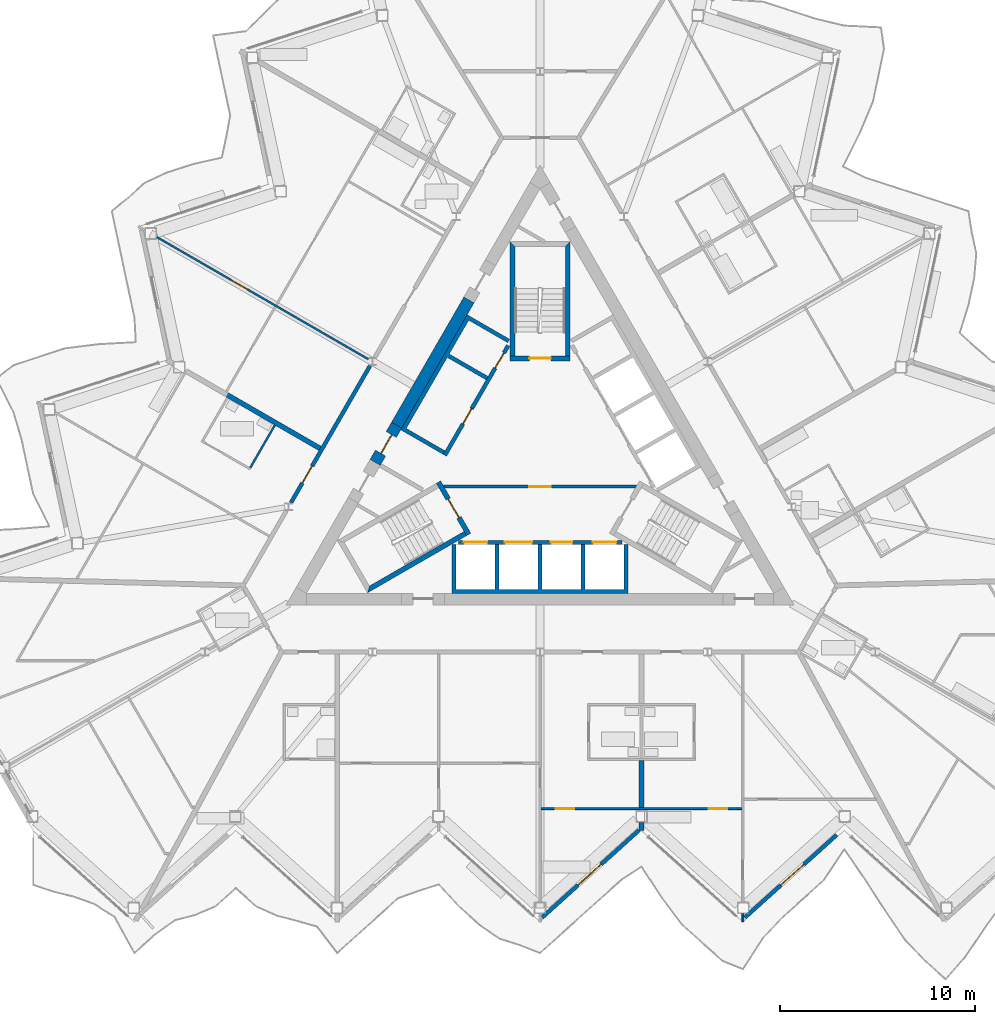
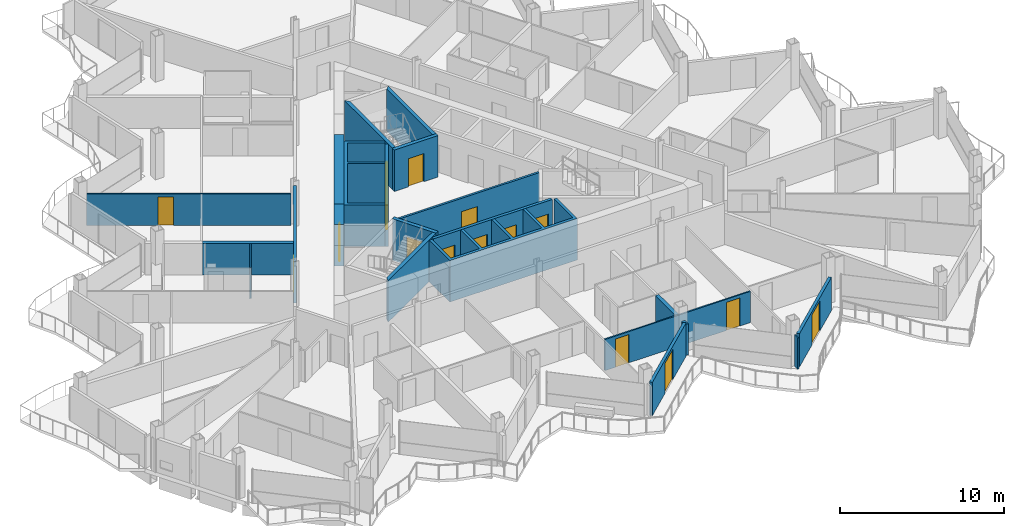
# One storey, part 15 of 28: 22 walls, 16 doors, 16 openings.
"""IFC4 building model written with IfcOpenShell, lengths in metres."""

from ifc_helpers import new_model, si_unit, direction, frame, frame_2d, origin, place, context, subcontext, project, spatial, polyline, rectangle, outline, extrude, material, layer, layer_set, type_object, element, fill, save


model = new_model("IFC4")

# Units and contexts
model_context = context("Model", 3, precision=1e-05, world=origin(), true_north=direction((0.0, 1.0)))
body_context = subcontext(model_context, "Body", "Model", "MODEL_VIEW")
ifc_project = project(units=[si_unit("LENGTHUNIT", "METRE"), si_unit("AREAUNIT", "SQUARE_METRE"), si_unit("VOLUMEUNIT", "CUBIC_METRE"), si_unit("PLANEANGLEUNIT", "RADIAN"), si_unit("MASSUNIT", "GRAM", prefix="KILO")], contexts=[model_context])

# Site, building, storey
site_placement = place(None, origin())
site = spatial("IfcSite", under=ifc_project, at=site_placement, CompositionType="ELEMENT")
building_placement = place(site_placement, origin())
building = spatial("IfcBuilding", under=site, at=building_placement, Name="Cormorant Prow Tower", CompositionType="ELEMENT")
storey_placement = place(building_placement, frame((0.0, 0.0, 301.800048828125)))
storey = spatial("IfcBuildingStorey", under=building, at=storey_placement, Name="L65", CompositionType="ELEMENT", Elevation=301.800048828125)

# Wall, opening, door
ifc_material_1 = material(Name="Gypsum board partition")
ifc_layer_1 = layer(ifc_material_1, 0.14990234375)
ifc_layer_set_1 = layer_set([ifc_layer_1], Name="Gypsum board partition")
wall_type_1 = type_object("IfcWallType", Name="Core partition 150", PredefinedType="PARTITIONING", material=ifc_layer_set_1)
wall_1_placement = place(storey_placement, frame((-4.941162109375, -1.449951171875, 0.0), z_axis=(0.0, 0.0, 1.0), x_axis=(1.0, 0.0, 0.0)))
wall_1 = element("IfcWall", 1, at=wall_1_placement, inside=storey, type_object=wall_type_1, Name="Firefighting lobby partition", PredefinedType="PARTITIONING", context=body_context, shape_type="SweptSolid", body=[
    extrude(rectangle(XDim=9.88232421875, YDim=0.14990234375, at=frame_2d((4.941162109375, 0.0))), origin(), (0.0, 0.0, 1.0), 3.099853515625),
])
opening_1_placement = place(wall_1_placement, frame((4.39111328125, 0.0, 0.0)))
opening_1 = element("IfcOpeningElement", 2, at=opening_1_placement, cuts=wall_1, Name="Opening L65-C11", PredefinedType="OPENING", context=body_context, shape_type="SweptSolid", body=[
    extrude(rectangle(XDim=1.10009765625, YDim=2.10009765625, at=frame_2d((0.550048828125, 1.050048828125))), frame((0.0, 0.0849609375, 0.0), z_axis=(0.0, -1.0, 0.0), x_axis=(1.0, 0.0, 0.0)), (0.0, 0.0, 1.0), 0.169921875),
])
ifc_material_2 = material(Name="Painted steel", Category="steel")
door_type_1 = type_object("IfcDoorType", Name="Firefighting lobby door 1100x2100", OperationType="NOTDEFINED", PredefinedType="DOOR", material=ifc_material_2)
door_1_placement = place(opening_1_placement, origin())
door_1 = element("IfcDoor", 3, at=door_1_placement, inside=storey, type_object=door_type_1, Name="Firefighting lobby door", OperationType="SINGLE_SWING_LEFT", OverallHeight=2.10009765625, OverallWidth=1.10009765625, PredefinedType="DOOR", context=body_context, shape_type="SweptSolid", body=[
    extrude(rectangle(XDim=1.10009765625, YDim=2.10009765625, at=frame_2d((0.550048828125, 1.050048828125))), frame((0.0, 0.02490234375, 0.0), z_axis=(0.0, -1.0, 0.0), x_axis=(1.0, 0.0, 0.0)), (0.0, 0.0, 1.0), 0.050048828125),
])
fill(opening_1, door_1)

# Wall
ifc_material_3 = material(Name="Concrete 8000 psi", Category="concrete")
ifc_layer_2 = layer(ifc_material_3, 0.60009765625)
ifc_layer_set_2 = layer_set([ifc_layer_2], Name="Concrete 8000 psi")
wall_type_2 = type_object("IfcWallType", Name="Core shear wall 600", PredefinedType="SHEAR", material=ifc_layer_set_2)
wall_2_placement = place(storey_placement, frame((-3.639404296875, 8.107421875, 0.0), z_axis=(0.0, 0.0, 1.0), x_axis=(-0.49999180351, -0.866030135978, 0.0)))
element("IfcWall", 4, at=wall_2_placement, inside=storey, type_object=wall_type_2, Name="Core wall", PredefinedType="SHEAR", context=body_context, shape_type="SweptSolid", body=[
    extrude(rectangle(XDim=7.4013671875, YDim=0.60009765625, at=frame_2d((3.70068359375, 0.0))), origin(), (0.0, 0.0, 1.0), 3.099853515625),
])

# Wall, opening, door
wall_3_placement = place(storey_placement, frame((-7.340087890625, 1.697509765625, 0.0), z_axis=(0.0, 0.0, 1.0), x_axis=(-0.50002983664, -0.866008176907, 0.0)))
wall_3 = element("IfcWall", 5, at=wall_3_placement, inside=storey, type_object=wall_type_2, Name="Core wall door panel", PredefinedType="SHEAR", context=body_context, shape_type="SweptSolid", body=[
    extrude(rectangle(XDim=2.199951171875, YDim=0.60009765625, at=frame_2d((1.10009765625, 0.0))), origin(), (0.0, 0.0, 1.0), 3.099853515625),
])
opening_2_placement = place(wall_3_placement, frame((0.550048828125, 0.0, 0.0)))
opening_2 = element("IfcOpeningElement", 6, at=opening_2_placement, cuts=wall_3, Name="Opening L65-C21", PredefinedType="OPENING", context=body_context, shape_type="SweptSolid", body=[
    extrude(rectangle(XDim=1.10009765625, YDim=2.10009765625, at=frame_2d((0.550048828125, 1.050048828125))), frame((0.0, 0.31005859375, 0.0), z_axis=(0.0, -1.0, 0.0), x_axis=(1.0, 0.0, 0.0)), (0.0, 0.0, 1.0), 0.6201171875),
])
ifc_material_4 = material(Name="Painted steel", Category="steel")
door_type_2 = type_object("IfcDoorType", Name="Core door 1100x2100", OperationType="NOTDEFINED", PredefinedType="DOOR", material=ifc_material_4)
door_2_placement = place(opening_2_placement, origin())
door_2 = element("IfcDoor", 7, at=door_2_placement, inside=storey, type_object=door_type_2, Name="Core door, lift lobby", OperationType="SINGLE_SWING_RIGHT", OverallHeight=2.10009765625, OverallWidth=1.10009765625, PredefinedType="DOOR", context=body_context, shape_type="SweptSolid", body=[
    extrude(rectangle(XDim=1.10009765625, YDim=2.10009765625, at=frame_2d((0.550048828125, 1.050048828125))), frame((0.0, 0.05517578125, 0.0), z_axis=(0.0, -1.0, 0.0), x_axis=(1.0, 0.0, 0.0)), (0.0, 0.0, 1.0), 0.050048828125),
])
fill(opening_2, door_2)

ifc_material_5 = material(Name="Gypsum board corridor wall")
ifc_layer_3 = layer(ifc_material_5, 0.199951171875)
ifc_layer_set_3 = layer_set([ifc_layer_3], Name="Gypsum board corridor wall")
wall_type_3 = type_object("IfcWallType", Name="Corridor wall 200", PredefinedType="PARTITIONING", material=ifc_layer_set_3)
wall_4_placement = place(storey_placement, frame((-12.747802734375, -2.268798828125, 0.0), z_axis=(0.0, 0.0, 1.0), x_axis=(0.499984266882, 0.866034487114, 0.0)))
wall_4 = element("IfcWall", 8, at=wall_4_placement, inside=storey, type_object=wall_type_3, Name="Corridor wall", PredefinedType="PARTITIONING", context=body_context, shape_type="SweptSolid", body=[
    extrude(rectangle(XDim=8.098876953125, YDim=0.199951171875, at=frame_2d((4.04931640625, 0.0))), origin(), (0.0, 0.0, 1.0), 3.099853515625),
])
opening_3_placement = place(wall_4_placement, frame((1.16357421875, 0.0, 0.0)))
opening_3 = element("IfcOpeningElement", 9, at=opening_3_placement, cuts=wall_4, Name="Opening L65-F46", PredefinedType="OPENING", context=body_context, shape_type="SweptSolid", body=[
    extrude(rectangle(XDim=1.0, YDim=2.10009765625, at=frame_2d((0.5, 1.050048828125))), frame((0.0, 0.10986328125, 0.0), z_axis=(0.0, -1.0, 0.0), x_axis=(1.0, 0.0, 0.0)), (0.0, 0.0, 1.0), 0.219970703125),
])
ifc_material_6 = material(Name="Timber door leaf", Category="wood")
door_type_3 = type_object("IfcDoorType", Name="Flat or room entrance door 1000x2100", OperationType="NOTDEFINED", PredefinedType="DOOR", material=ifc_material_6)
door_3_placement = place(opening_3_placement, origin())
door_3 = element("IfcDoor", 10, at=door_3_placement, inside=storey, type_object=door_type_3, Name="Living room door", OperationType="SINGLE_SWING_RIGHT", OverallHeight=2.10009765625, OverallWidth=1.0, PredefinedType="DOOR", context=body_context, shape_type="SweptSolid", body=[
    extrude(rectangle(XDim=1.0, YDim=2.10009765625, at=frame_2d((0.5, 1.050048828125))), frame((0.0, 0.02490234375, 0.0), z_axis=(0.0, -1.0, 0.0), x_axis=(1.0, 0.0, 0.0)), (0.0, 0.0, 1.0), 0.050048828125),
])
fill(opening_3, door_3)

ifc_material_7 = material(Name="Gypsum board partition")
ifc_layer_4 = layer(ifc_material_7, 0.10009765625)
ifc_layer_set_4 = layer_set([ifc_layer_4], Name="Gypsum board partition")
wall_type_4 = type_object("IfcWallType", Name="Internal partition 100", PredefinedType="PARTITIONING", material=ifc_layer_set_4)
wall_5_placement = place(storey_placement, frame((-19.615478515625, 11.3251953125, 0.0), z_axis=(0.0, 0.0, 1.0), x_axis=(0.86602139559, -0.500006942333, 0.0)))
wall_5 = element("IfcWall", 11, at=wall_5_placement, inside=storey, type_object=wall_type_4, Name="Internal partition", PredefinedType="PARTITIONING", context=body_context, shape_type="SweptSolid", body=[
    extrude(rectangle(XDim=12.504638671875, YDim=0.10009765625, at=frame_2d((6.25244140625, 0.0))), origin(), (0.0, 0.0, 1.0), 2.330078125),
])
opening_4_placement = place(wall_5_placement, frame((4.370361328125, 0.0, 0.0)))
opening_4 = element("IfcOpeningElement", 12, at=opening_4_placement, cuts=wall_5, Name="Opening L65-F43", PredefinedType="OPENING", context=body_context, shape_type="SweptSolid", body=[
    extrude(rectangle(XDim=0.949951171875, YDim=2.10009765625, at=frame_2d((0.47509765625, 1.050048828125))), frame((0.0, 0.06005859375, 0.0), z_axis=(0.0, -1.0, 0.0), x_axis=(1.0, 0.0, 0.0)), (0.0, 0.0, 1.0), 0.1201171875),
])
ifc_material_8 = material(Name="Timber door leaf", Category="wood")
door_type_4 = type_object("IfcDoorType", Name="Bathroom door 950x2100", OperationType="NOTDEFINED", PredefinedType="DOOR", material=ifc_material_8)
door_4_placement = place(opening_4_placement, origin())
door_4 = element("IfcDoor", 13, at=door_4_placement, inside=storey, type_object=door_type_4, Name="Dining room door", OperationType="SINGLE_SWING_LEFT", OverallHeight=2.10009765625, OverallWidth=0.949951171875, PredefinedType="DOOR", context=body_context, shape_type="SweptSolid", body=[
    extrude(rectangle(XDim=0.949951171875, YDim=2.10009765625, at=frame_2d((0.47509765625, 1.050048828125))), frame((0.0, 0.02490234375, 0.0), z_axis=(0.0, -1.0, 0.0), x_axis=(1.0, 0.0, 0.0)), (0.0, 0.0, 1.0), 0.050048828125),
])
fill(opening_4, door_4)

# Wall, openings, doors
wall_6_placement = place(storey_placement, frame((0.050048828125, -17.92431640625, 0.0), z_axis=(0.0, 0.0, 1.0), x_axis=(1.0, 0.0, 0.0)))
wall_6 = element("IfcWall", 14, at=wall_6_placement, inside=storey, type_object=wall_type_4, Name="Internal partition", PredefinedType="PARTITIONING", context=body_context, shape_type="SweptSolid", body=[
    extrude(rectangle(XDim=10.28173828125, YDim=0.10009765625, at=frame_2d((5.140869140625, 0.0))), origin(), (0.0, 0.0, 1.0), 2.330078125),
])
opening_5_placement = place(wall_6_placement, frame((0.751708984375, 0.0, 0.0)))
opening_5 = element("IfcOpeningElement", 15, at=opening_5_placement, cuts=wall_6, Name="Opening L65-F05", PredefinedType="OPENING", context=body_context, shape_type="SweptSolid", body=[
    extrude(rectangle(XDim=0.949951171875, YDim=2.10009765625, at=frame_2d((0.47509765625, 1.050048828125))), frame((0.0, 0.06005859375, 0.0), z_axis=(0.0, -1.0, 0.0), x_axis=(1.0, 0.0, 0.0)), (0.0, 0.0, 1.0), 0.1201171875),
])
opening_6_placement = place(wall_6_placement, frame((8.580078125, 0.0, 0.0)))
opening_6 = element("IfcOpeningElement", 16, at=opening_6_placement, cuts=wall_6, Name="Opening L65-F12", PredefinedType="OPENING", context=body_context, shape_type="SweptSolid", body=[
    extrude(rectangle(XDim=0.949951171875, YDim=2.10009765625, at=frame_2d((0.47509765625, 1.050048828125))), frame((0.0, 0.06005859375, 0.0), z_axis=(0.0, -1.0, 0.0), x_axis=(1.0, 0.0, 0.0)), (0.0, 0.0, 1.0), 0.1201171875),
])
door_5_placement = place(opening_5_placement, origin())
door_5 = element("IfcDoor", 17, at=door_5_placement, inside=storey, type_object=door_type_4, Name="Living room door", OperationType="SINGLE_SWING_LEFT", OverallHeight=2.10009765625, OverallWidth=0.949951171875, PredefinedType="DOOR", context=body_context, shape_type="SweptSolid", body=[
    extrude(rectangle(XDim=0.949951171875, YDim=2.10009765625, at=frame_2d((0.47509765625, 1.050048828125))), frame((0.0, 0.02490234375, 0.0), z_axis=(0.0, -1.0, 0.0), x_axis=(1.0, 0.0, 0.0)), (0.0, 0.0, 1.0), 0.050048828125),
])
fill(opening_5, door_5)
door_6_placement = place(opening_6_placement, origin())
door_6 = element("IfcDoor", 18, at=door_6_placement, inside=storey, type_object=door_type_4, Name="Living room door", OperationType="SINGLE_SWING_RIGHT", OverallHeight=2.10009765625, OverallWidth=0.949951171875, PredefinedType="DOOR", context=body_context, shape_type="SweptSolid", body=[
    extrude(rectangle(XDim=0.949951171875, YDim=2.10009765625, at=frame_2d((0.47509765625, 1.050048828125))), frame((0.0, 0.02490234375, 0.0), z_axis=(0.0, -1.0, 0.0), x_axis=(1.0, 0.0, 0.0)), (0.0, 0.0, 1.0), 0.050048828125),
])
fill(opening_6, door_6)

# Walls
wall_7_placement = place(storey_placement, frame((-14.837158203125, -0.48779296875, 0.0), z_axis=(0.0, 0.0, 1.0), x_axis=(0.499976333282, 0.866039067339, 0.0)))
element("IfcWall", 19, at=wall_7_placement, inside=storey, type_object=wall_type_4, Name="Internal partition", PredefinedType="PARTITIONING", context=body_context, shape_type="SweptSolid", body=[
    extrude(rectangle(XDim=2.52490234375, YDim=0.10009765625, at=frame_2d((1.262451171875, 0.0))), origin(), (0.0, 0.0, 1.0), 2.330078125),
])
wall_8_placement = place(storey_placement, frame((10.3818359375, -23.72900390625, 0.0), z_axis=(0.0, 0.0, 1.0), x_axis=(0.0, 1.0, 0.0)))
element("IfcWall", 20, at=wall_8_placement, inside=storey, type_object=wall_type_4, Name="Internal partition", PredefinedType="PARTITIONING", context=body_context, shape_type="SweptSolid", body=[
    extrude(rectangle(XDim=0.410888671875, YDim=0.10009765625, at=frame_2d((0.20556640625, 0.0))), origin(), (0.0, 0.0, 1.0), 2.330078125),
])

# Wall, openings, doors
ifc_material_9 = material(Name="Concrete 5000 psi", Category="concrete")
ifc_layer_5 = layer(ifc_material_9, 0.199951171875)
ifc_layer_set_5 = layer_set([ifc_layer_5], Name="Concrete 5000 psi")
wall_type_5 = type_object("IfcWallType", Name="Lift lobby wall 200", PredefinedType="SOLIDWALL", material=ifc_layer_set_5)
wall_9_placement = place(storey_placement, frame((-4.1865234375, -4.300048828125, 0.0), z_axis=(0.0, 0.0, 1.0), x_axis=(1.0, 0.0, 0.0)))
wall_9 = element("IfcWall", 21, at=wall_9_placement, inside=storey, type_object=wall_type_5, Name="Lift lobby wall, S block", PredefinedType="SOLIDWALL", context=body_context, shape_type="SweptSolid", body=[
    extrude(rectangle(XDim=8.373046875, YDim=0.199951171875, at=frame_2d((4.1865234375, 0.0))), origin(), (0.0, 0.0, 1.0), 3.099853515625),
])
opening_7_placement = place(wall_9_placement, frame((0.28662109375, 0.0, 0.0)))
opening_7 = element("IfcOpeningElement", 22, at=opening_7_placement, cuts=wall_9, Name="Opening L65-C01", PredefinedType="OPENING", context=body_context, shape_type="SweptSolid", body=[
    extrude(rectangle(XDim=1.199951171875, YDim=2.10009765625, at=frame_2d((0.60009765625, 1.050048828125))), frame((0.0, 0.10986328125, 0.0), z_axis=(0.0, -1.0, 0.0), x_axis=(1.0, 0.0, 0.0)), (0.0, 0.0, 1.0), 0.219970703125),
])
opening_8_placement = place(wall_9_placement, frame((2.38671875, 0.0, 0.0)))
opening_8 = element("IfcOpeningElement", 23, at=opening_8_placement, cuts=wall_9, Name="Opening L65-C02", PredefinedType="OPENING", context=body_context, shape_type="SweptSolid", body=[
    extrude(rectangle(XDim=1.39990234375, YDim=2.10009765625, at=frame_2d((0.699951171875, 1.050048828125))), frame((0.0, 0.10986328125, 0.0), z_axis=(0.0, -1.0, 0.0), x_axis=(1.0, 0.0, 0.0)), (0.0, 0.0, 1.0), 0.219970703125),
])
opening_9_placement = place(wall_9_placement, frame((4.736572265625, 0.0, 0.0)))
opening_9 = element("IfcOpeningElement", 24, at=opening_9_placement, cuts=wall_9, Name="Opening L65-C03", PredefinedType="OPENING", context=body_context, shape_type="SweptSolid", body=[
    extrude(rectangle(XDim=1.10009765625, YDim=2.10009765625, at=frame_2d((0.550048828125, 1.050048828125))), frame((0.0, 0.10986328125, 0.0), z_axis=(0.0, -1.0, 0.0), x_axis=(1.0, 0.0, 0.0)), (0.0, 0.0, 1.0), 0.219970703125),
])
opening_10_placement = place(wall_9_placement, frame((6.88671875, 0.0, 0.0)))
opening_10 = element("IfcOpeningElement", 25, at=opening_10_placement, cuts=wall_9, Name="Opening L65-C04", PredefinedType="OPENING", context=body_context, shape_type="SweptSolid", body=[
    extrude(rectangle(XDim=1.199951171875, YDim=2.10009765625, at=frame_2d((0.60009765625, 1.050048828125))), frame((0.0, 0.10986328125, 0.0), z_axis=(0.0, -1.0, 0.0), x_axis=(1.0, 0.0, 0.0)), (0.0, 0.0, 1.0), 0.219970703125),
])
ifc_material_10 = material(Name="Painted steel", Category="steel")
door_type_5 = type_object("IfcDoorType", Name="Firefighting lift landing door 1200x2100", OperationType="SLIDING_TO_LEFT", PredefinedType="DOOR", material=ifc_material_10)
door_7_placement = place(opening_7_placement, origin())
door_7 = element("IfcDoor", 26, at=door_7_placement, inside=storey, type_object=door_type_5, Name="Landing door FL1", OperationType="SLIDING_TO_LEFT", OverallHeight=2.10009765625, OverallWidth=1.199951171875, PredefinedType="DOOR", context=body_context, shape_type="SweptSolid", body=[
    extrude(rectangle(XDim=1.199951171875, YDim=2.10009765625, at=frame_2d((0.60009765625, 1.050048828125))), frame((0.0, 0.02490234375, 0.0), z_axis=(0.0, -1.0, 0.0), x_axis=(1.0, 0.0, 0.0)), (0.0, 0.0, 1.0), 0.050048828125),
])
fill(opening_7, door_7)
door_8_placement = place(opening_10_placement, origin())
door_8 = element("IfcDoor", 27, at=door_8_placement, inside=storey, type_object=door_type_5, Name="Landing door FL2", OperationType="SLIDING_TO_LEFT", OverallHeight=2.10009765625, OverallWidth=1.199951171875, PredefinedType="DOOR", context=body_context, shape_type="SweptSolid", body=[
    extrude(rectangle(XDim=1.199951171875, YDim=2.10009765625, at=frame_2d((0.60009765625, 1.050048828125))), frame((0.0, 0.02490234375, 0.0), z_axis=(0.0, -1.0, 0.0), x_axis=(1.0, 0.0, 0.0)), (0.0, 0.0, 1.0), 0.050048828125),
])
fill(opening_10, door_8)
ifc_material_11 = material(Name="Painted steel", Category="steel")
door_type_6 = type_object("IfcDoorType", Name="Lift landing door 1100x2100", OperationType="SLIDING_TO_LEFT", PredefinedType="DOOR", material=ifc_material_11)
door_9_placement = place(opening_9_placement, origin())
door_9 = element("IfcDoor", 28, at=door_9_placement, inside=storey, type_object=door_type_6, Name="Landing door HR1", OperationType="SLIDING_TO_LEFT", OverallHeight=2.10009765625, OverallWidth=1.10009765625, PredefinedType="DOOR", context=body_context, shape_type="SweptSolid", body=[
    extrude(rectangle(XDim=1.10009765625, YDim=2.10009765625, at=frame_2d((0.550048828125, 1.050048828125))), frame((0.0, 0.02490234375, 0.0), z_axis=(0.0, -1.0, 0.0), x_axis=(1.0, 0.0, 0.0)), (0.0, 0.0, 1.0), 0.050048828125),
])
fill(opening_9, door_9)
ifc_material_12 = material(Name="Painted steel", Category="steel")
door_type_7 = type_object("IfcDoorType", Name="Service lift landing door 1400x2100", OperationType="SLIDING_TO_LEFT", PredefinedType="DOOR", material=ifc_material_12)
door_10_placement = place(opening_8_placement, origin())
door_10 = element("IfcDoor", 29, at=door_10_placement, inside=storey, type_object=door_type_7, Name="Landing door SL1", OperationType="SLIDING_TO_LEFT", OverallHeight=2.10009765625, OverallWidth=1.39990234375, PredefinedType="DOOR", context=body_context, shape_type="SweptSolid", body=[
    extrude(rectangle(XDim=1.39990234375, YDim=2.10009765625, at=frame_2d((0.699951171875, 1.050048828125))), frame((0.0, 0.02490234375, 0.0), z_axis=(0.0, -1.0, 0.0), x_axis=(1.0, 0.0, 0.0)), (0.0, 0.0, 1.0), 0.050048828125),
])
fill(opening_8, door_10)

wall_10_placement = place(storey_placement, frame((-1.630615234375, 5.775634765625, 0.0), z_axis=(0.0, 0.0, 1.0), x_axis=(-0.499992876559, -0.866029516466, 0.0)))
wall_10 = element("IfcWall", 30, at=wall_10_placement, inside=storey, type_object=wall_type_5, Name="Lift lobby wall, WNW block", PredefinedType="SOLIDWALL", context=body_context, shape_type="SweptSolid", body=[
    extrude(rectangle(XDim=6.486328125, YDim=0.199951171875, at=frame_2d((3.2431640625, 0.0))), origin(), (0.0, 0.0, 1.0), 3.099853515625),
])
opening_11_placement = place(wall_10_placement, frame((0.4365234375, 0.0, 0.0)))
opening_11 = element("IfcOpeningElement", 31, at=opening_11_placement, cuts=wall_10, Name="Opening L65-C09", PredefinedType="OPENING", context=body_context, shape_type="SweptSolid", body=[
    extrude(rectangle(XDim=0.89990234375, YDim=2.10009765625, at=frame_2d((0.449951171875, 1.050048828125))), frame((0.0, 0.10986328125, 0.0), z_axis=(0.0, -1.0, 0.0), x_axis=(1.0, 0.0, 0.0)), (0.0, 0.0, 1.0), 0.219970703125),
])
opening_12_placement = place(wall_10_placement, frame((3.736572265625, 0.0, 0.0)))
opening_12 = element("IfcOpeningElement", 32, at=opening_12_placement, cuts=wall_10, Name="Opening L65-C10", PredefinedType="OPENING", context=body_context, shape_type="SweptSolid", body=[
    extrude(rectangle(XDim=0.89990234375, YDim=2.10009765625, at=frame_2d((0.449951171875, 1.050048828125))), frame((0.0, 0.10986328125, 0.0), z_axis=(0.0, -1.0, 0.0), x_axis=(1.0, 0.0, 0.0)), (0.0, 0.0, 1.0), 0.219970703125),
])
ifc_material_13 = material(Name="Painted steel", Category="steel")
door_type_8 = type_object("IfcDoorType", Name="Service door 900x2100", OperationType="NOTDEFINED", PredefinedType="DOOR", material=ifc_material_13)
door_11_placement = place(opening_11_placement, origin())
door_11 = element("IfcDoor", 33, at=door_11_placement, inside=storey, type_object=door_type_8, Name="Service door, Telecom room", OperationType="SINGLE_SWING_LEFT", OverallHeight=2.10009765625, OverallWidth=0.89990234375, PredefinedType="DOOR", context=body_context, shape_type="SweptSolid", body=[
    extrude(rectangle(XDim=0.89990234375, YDim=2.10009765625, at=frame_2d((0.449951171875, 1.050048828125))), frame((0.0, 0.02490234375, 0.0), z_axis=(0.0, -1.0, 0.0), x_axis=(1.0, 0.0, 0.0)), (0.0, 0.0, 1.0), 0.050048828125),
])
fill(opening_11, door_11)
door_12_placement = place(opening_12_placement, origin())
door_12 = element("IfcDoor", 34, at=door_12_placement, inside=storey, type_object=door_type_8, Name="Service door, Housekeeping store", OperationType="SINGLE_SWING_LEFT", OverallHeight=2.10009765625, OverallWidth=0.89990234375, PredefinedType="DOOR", context=body_context, shape_type="SweptSolid", body=[
    extrude(rectangle(XDim=0.89990234375, YDim=2.10009765625, at=frame_2d((0.449951171875, 1.050048828125))), frame((0.0, 0.02490234375, 0.0), z_axis=(0.0, -1.0, 0.0), x_axis=(1.0, 0.0, 0.0)), (0.0, 0.0, 1.0), 0.050048828125),
])
fill(opening_12, door_12)

# Walls
ifc_material_14 = material(Name="Concrete 8000 psi", Category="concrete")
ifc_layer_6 = layer(ifc_material_14, 0.199951171875)
ifc_layer_set_6 = layer_set([ifc_layer_6], Name="Concrete 8000 psi")
wall_type_6 = type_object("IfcWallType", Name="Lift shaft wall 200", PredefinedType="SHEAR", material=ifc_layer_set_6)
wall_11_placement = place(storey_placement, origin())
element("IfcWall", 35, at=wall_11_placement, inside=storey, type_object=wall_type_6, Name="Lift shaft walls, S block", PredefinedType="SHEAR", context=body_context, shape_type="SweptSolid", body=[
    extrude(outline(polyline([(4.5, -4.39990234375), (4.5, -6.906005859375), (-4.5, -6.906005859375), (-4.5, -4.39990234375), (-4.300048828125, -4.39990234375), (-4.300048828125, -6.699951171875), (-2.300048828125, -6.699951171875), (-2.300048828125, -4.39990234375), (-2.10009765625, -4.39990234375), (-2.10009765625, -6.699951171875), (-0.10009765625, -6.699951171875), (-0.10009765625, -4.39990234375), (0.10009765625, -4.39990234375), (0.10009765625, -6.699951171875), (2.10009765625, -6.699951171875), (2.10009765625, -4.39990234375), (2.300048828125, -4.39990234375), (2.300048828125, -6.699951171875), (4.300048828125, -6.699951171875), (4.300048828125, -4.39990234375), (4.5, -4.39990234375)])), origin(), (0.0, 0.0, 1.0), 3.099853515625),
])
wall_12_placement = place(storey_placement, origin())
element("IfcWall", 36, at=wall_12_placement, inside=storey, type_object=wall_type_6, Name="Lift shaft walls, WNW block", PredefinedType="SHEAR", context=body_context, shape_type="SweptSolid", body=[
    extrude(outline(polyline([(-4.96044921875, 0.2080078125), (-7.130859375, 1.461181640625), (-3.730712890625, 7.35009765625), (-1.560546875, 6.09716796875), (-1.660400390625, 5.923828125), (-3.65234375, 7.073974609375), (-4.65234375, 5.341796875), (-2.660400390625, 4.19189453125), (-2.760498046875, 4.018798828125), (-4.75244140625, 5.168701171875), (-6.852294921875, 1.53125), (-4.860595703125, 0.38134765625), (-4.96044921875, 0.2080078125)])), origin(), (0.0, 0.0, 1.0), 3.099853515625),
])
ifc_material_15 = material(Name="Concrete 8000 psi", Category="concrete")
ifc_layer_7 = layer(ifc_material_15, 0.25)
ifc_layer_set_7 = layer_set([ifc_layer_7], Name="Concrete 8000 psi")
wall_type_7 = type_object("IfcWallType", Name="Stair wall 250", PredefinedType="SHEAR", material=ifc_layer_set_7)
wall_13_placement = place(storey_placement, origin())
element("IfcWall", 37, at=wall_13_placement, inside=storey, type_object=wall_type_7, Name="Stair ST1 enclosure wall (flank)", PredefinedType="SHEAR", context=body_context, shape_type="SweptSolid", body=[
    extrude(outline(polyline([(-8.738037109375, -6.5390625), (-8.82958984375, -6.880615234375), (-3.76318359375, -3.95556640625), (-3.88818359375, -3.739013671875), (-8.738037109375, -6.5390625)])), origin(), (0.0, 0.0, 1.0), 3.099853515625),
])

# Wall, opening, door
wall_14_placement = place(storey_placement, frame((-5.198974609375, -1.21875, 0.0), z_axis=(0.0, 0.0, 1.0), x_axis=(0.499982516597, -0.866035497597, 0.0)))
wall_14 = element("IfcWall", 38, at=wall_14_placement, inside=storey, type_object=wall_type_7, Name="Stair ST1 door wall", PredefinedType="SHEAR", context=body_context, shape_type="SweptSolid", body=[
    extrude(rectangle(XDim=3.087890625, YDim=0.25, at=frame_2d((1.5439453125, 0.0))), origin(), (0.0, 0.0, 1.0), 3.099853515625),
])
opening_13_placement = place(wall_14_placement, frame((0.993896484375, 0.0, 0.0)))
opening_13 = element("IfcOpeningElement", 39, at=opening_13_placement, cuts=wall_14, Name="Opening L65-C12", PredefinedType="OPENING", context=body_context, shape_type="SweptSolid", body=[
    extrude(rectangle(XDim=1.10009765625, YDim=2.10009765625, at=frame_2d((0.550048828125, 1.050048828125))), frame((0.0, 0.135009765625, 0.0), z_axis=(0.0, -1.0, 0.0), x_axis=(1.0, 0.0, 0.0)), (0.0, 0.0, 1.0), 0.27001953125),
])
ifc_material_16 = material(Name="Painted steel", Category="steel")
door_type_9 = type_object("IfcDoorType", Name="Stair door 1100x2100", OperationType="NOTDEFINED", PredefinedType="DOOR", material=ifc_material_16)
door_13_placement = place(opening_13_placement, origin())
door_13 = element("IfcDoor", 40, at=door_13_placement, inside=storey, type_object=door_type_9, Name="Stair ST1 door", OperationType="SINGLE_SWING_LEFT", OverallHeight=2.10009765625, OverallWidth=1.10009765625, PredefinedType="DOOR", context=body_context, shape_type="SweptSolid", body=[
    extrude(rectangle(XDim=1.10009765625, YDim=2.10009765625, at=frame_2d((0.550048828125, 1.050048828125))), frame((0.0, 0.02490234375, 0.0), z_axis=(0.0, -1.0, 0.0), x_axis=(1.0, 0.0, 0.0)), (0.0, 0.0, 1.0), 0.050048828125),
])
fill(opening_13, door_13)

# Walls
wall_15_placement = place(storey_placement, origin())
element("IfcWall", 41, at=wall_15_placement, inside=storey, type_object=wall_type_7, Name="Stair ST3 enclosure wall (flank)", PredefinedType="SHEAR", context=body_context, shape_type="SweptSolid", body=[
    extrude(outline(polyline([(1.5439453125, 5.23681640625), (1.5439453125, 11.0869140625), (1.2939453125, 10.8369140625), (1.2939453125, 5.23681640625), (1.5439453125, 5.23681640625)])), origin(), (0.0, 0.0, 1.0), 3.099853515625),
])
wall_16_placement = place(storey_placement, origin())
element("IfcWall", 42, at=wall_16_placement, inside=storey, type_object=wall_type_7, Name="Stair ST3 enclosure wall (flank)", PredefinedType="SHEAR", context=body_context, shape_type="SweptSolid", body=[
    extrude(outline(polyline([(-1.2939453125, 10.8369140625), (-1.5439453125, 11.0869140625), (-1.5439453125, 5.23681640625), (-1.2939453125, 5.23681640625), (-1.2939453125, 10.8369140625)])), origin(), (0.0, 0.0, 1.0), 3.099853515625),
])

# Wall, opening, door
wall_17_placement = place(storey_placement, frame((1.5439453125, 5.11181640625, 0.0), z_axis=(0.0, 0.0, 1.0), x_axis=(-1.0, 0.0, 0.0)))
wall_17 = element("IfcWall", 43, at=wall_17_placement, inside=storey, type_object=wall_type_7, Name="Stair ST3 door wall", PredefinedType="SHEAR", context=body_context, shape_type="SweptSolid", body=[
    extrude(rectangle(XDim=3.087890625, YDim=0.25, at=frame_2d((1.5439453125, 0.0))), origin(), (0.0, 0.0, 1.0), 3.099853515625),
])
opening_14_placement = place(wall_17_placement, frame((0.993896484375, 0.0, 0.0)))
opening_14 = element("IfcOpeningElement", 44, at=opening_14_placement, cuts=wall_17, Name="Opening L65-C14", PredefinedType="OPENING", context=body_context, shape_type="SweptSolid", body=[
    extrude(rectangle(XDim=1.10009765625, YDim=2.10009765625, at=frame_2d((0.550048828125, 1.050048828125))), frame((0.0, 0.135009765625, 0.0), z_axis=(0.0, -1.0, 0.0), x_axis=(1.0, 0.0, 0.0)), (0.0, 0.0, 1.0), 0.27001953125),
])
door_14_placement = place(opening_14_placement, origin())
door_14 = element("IfcDoor", 45, at=door_14_placement, inside=storey, type_object=door_type_9, Name="Stair ST3 door", OperationType="SINGLE_SWING_RIGHT", OverallHeight=2.10009765625, OverallWidth=1.10009765625, PredefinedType="DOOR", context=body_context, shape_type="SweptSolid", body=[
    extrude(rectangle(XDim=1.10009765625, YDim=2.10009765625, at=frame_2d((0.550048828125, 1.050048828125))), frame((0.0, 0.02490234375, 0.0), z_axis=(0.0, -1.0, 0.0), x_axis=(1.0, 0.0, 0.0)), (0.0, 0.0, 1.0), 0.050048828125),
])
fill(opening_14, door_14)

# Walls
ifc_material_17 = material(Name="Acoustic gypsum party wall")
ifc_layer_8 = layer(ifc_material_17, 0.25)
ifc_layer_set_8 = layer_set([ifc_layer_8], Name="Acoustic gypsum party wall")
wall_type_8 = type_object("IfcWallType", Name="Suite party wall 250", PredefinedType="PARTITIONING", material=ifc_layer_set_8)
wall_18_placement = place(storey_placement, frame((-16.053955078125, 3.27490234375, 0.0), z_axis=(0.0, 0.0, 1.0), x_axis=(0.866019581949, -0.500010083578, 0.0)))
element("IfcWall", 46, at=wall_18_placement, inside=storey, type_object=wall_type_8, Name="Suite party wall", PredefinedType="PARTITIONING", context=body_context, shape_type="SweptSolid", body=[
    extrude(rectangle(XDim=5.53515625, YDim=0.25, at=frame_2d((2.767578125, 0.0))), origin(), (0.0, 0.0, 1.0), 2.330078125),
])
wall_19_placement = place(storey_placement, frame((5.19091796875, -17.87451171875, 0.0), z_axis=(0.0, 0.0, 1.0), x_axis=(0.0, 1.0, 0.0)))
element("IfcWall", 47, at=wall_19_placement, inside=storey, type_object=wall_type_8, Name="Suite party wall", PredefinedType="PARTITIONING", context=body_context, shape_type="SweptSolid", body=[
    extrude(rectangle(XDim=2.4189453125, YDim=0.25, at=frame_2d((1.20947265625, 0.0))), origin(), (0.0, 0.0, 1.0), 2.330078125),
])
wall_20_placement = place(storey_placement, frame((5.19091796875, -19.054931640625, 0.0), z_axis=(0.0, 0.0, 1.0), x_axis=(0.0, 1.0, 0.0)))
element("IfcWall", 48, at=wall_20_placement, inside=storey, type_object=wall_type_8, Name="Suite party wall", PredefinedType="PARTITIONING", context=body_context, shape_type="SweptSolid", body=[
    extrude(rectangle(XDim=0.418212890625, YDim=0.25, at=frame_2d((0.208984375, 0.0))), origin(), (0.0, 0.0, 1.0), 2.330078125),
])

# Wall, opening, door
ifc_material_18 = material(Name="Terracotta", Category="masonry")
ifc_layer_9 = layer(ifc_material_18, 0.199951171875)
ifc_layer_set_9 = layer_set([ifc_layer_9], Name="Terracotta")
wall_type_9 = type_object("IfcWallType", Name="Terracotta jamb wall 200", PredefinedType="SOLIDWALL", material=ifc_layer_set_9)
wall_21_placement = place(storey_placement, frame((0.103515625, -23.501220703125, 0.0), z_axis=(0.0, 0.0, 1.0), x_axis=(0.743137782456, 0.669138428344, 0.0)))
wall_21 = element("IfcWall", 49, at=wall_21_placement, inside=storey, type_object=wall_type_9, Name="Terracotta jamb wall S05", PredefinedType="SOLIDWALL", context=body_context, shape_type="SweptSolid", body=[
    extrude(rectangle(XDim=6.677734375, YDim=0.199951171875, at=frame_2d((3.3388671875, 0.0))), origin(), (0.0, 0.0, 1.0), 2.48779296875),
])
opening_15_placement = place(wall_21_placement, frame((2.463134765625, 0.0, 0.0)))
opening_15 = element("IfcOpeningElement", 50, at=opening_15_placement, cuts=wall_21, Name="Opening ED65.03", PredefinedType="OPENING", context=body_context, shape_type="SweptSolid", body=[
    extrude(rectangle(XDim=1.60009765625, YDim=2.25, at=frame_2d((0.800048828125, 1.125))), frame((0.0, 0.10986328125, 0.0), z_axis=(0.0, -1.0, 0.0), x_axis=(1.0, 0.0, 0.0)), (0.0, 0.0, 1.0), 0.219970703125),
])
ifc_material_19 = material(Name="Aluminium 6063-T6", Category="aluminium")
door_type_10 = type_object("IfcDoorType", Name="Balcony door 1600x2250", OperationType="DOUBLE_DOOR_SINGLE_SWING", PredefinedType="DOOR", material=ifc_material_19)
door_15_placement = place(opening_15_placement, origin())
door_15 = element("IfcDoor", 51, at=door_15_placement, inside=storey, type_object=door_type_10, Name="Balcony door S05 ED65.03", OperationType="DOUBLE_DOOR_SINGLE_SWING", OverallHeight=2.25, OverallWidth=1.60009765625, PredefinedType="DOOR", context=body_context, shape_type="SweptSolid", body=[
    extrude(rectangle(XDim=1.60009765625, YDim=2.25, at=frame_2d((0.800048828125, 1.125))), frame((0.0, 0.02490234375, 0.0), z_axis=(0.0, -1.0, 0.0), x_axis=(1.0, 0.0, 0.0)), (0.0, 0.0, 1.0), 0.050048828125),
])
fill(opening_15, door_15)

wall_22_placement = place(storey_placement, frame((10.4853515625, -23.501220703125, 0.0), z_axis=(0.0, 0.0, 1.0), x_axis=(0.743134744054, 0.669141802745, 0.0)))
wall_22 = element("IfcWall", 52, at=wall_22_placement, inside=storey, type_object=wall_type_9, Name="Terracotta jamb wall S07", PredefinedType="SOLIDWALL", context=body_context, shape_type="SweptSolid", body=[
    extrude(rectangle(XDim=6.32177734375, YDim=0.199951171875, at=frame_2d((3.160888671875, 0.0))), origin(), (0.0, 0.0, 1.0), 2.48779296875),
])
opening_16_placement = place(wall_22_placement, frame((2.463134765625, 0.0, 0.0)))
opening_16 = element("IfcOpeningElement", 53, at=opening_16_placement, cuts=wall_22, Name="Opening ED65.04", PredefinedType="OPENING", context=body_context, shape_type="SweptSolid", body=[
    extrude(rectangle(XDim=1.60009765625, YDim=2.25, at=frame_2d((0.800048828125, 1.125))), frame((0.0, 0.10986328125, 0.0), z_axis=(0.0, -1.0, 0.0), x_axis=(1.0, 0.0, 0.0)), (0.0, 0.0, 1.0), 0.219970703125),
])
door_16_placement = place(opening_16_placement, origin())
door_16 = element("IfcDoor", 54, at=door_16_placement, inside=storey, type_object=door_type_10, Name="Balcony door S07 ED65.04", OperationType="DOUBLE_DOOR_SINGLE_SWING", OverallHeight=2.25, OverallWidth=1.60009765625, PredefinedType="DOOR", context=body_context, shape_type="SweptSolid", body=[
    extrude(rectangle(XDim=1.60009765625, YDim=2.25, at=frame_2d((0.800048828125, 1.125))), frame((0.0, 0.02490234375, 0.0), z_axis=(0.0, -1.0, 0.0), x_axis=(1.0, 0.0, 0.0)), (0.0, 0.0, 1.0), 0.050048828125),
])
fill(opening_16, door_16)

save(model, "model.ifc")
